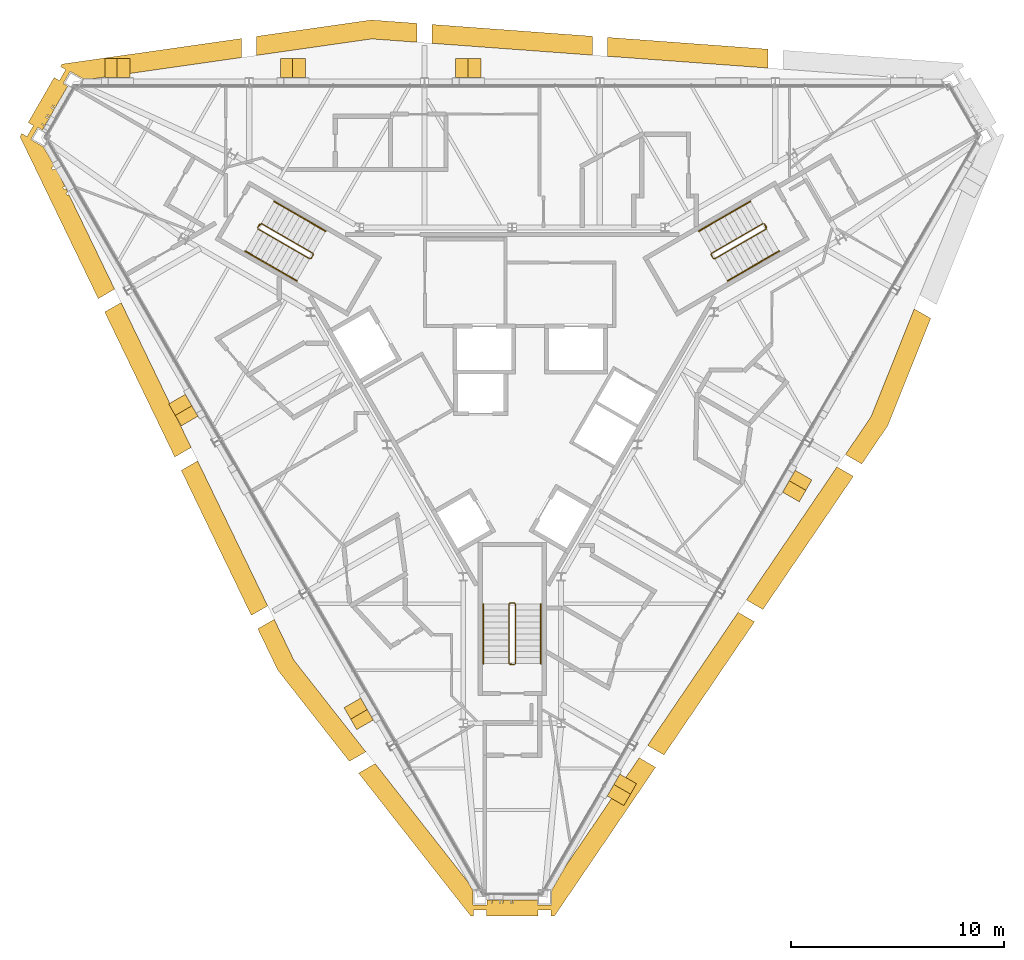
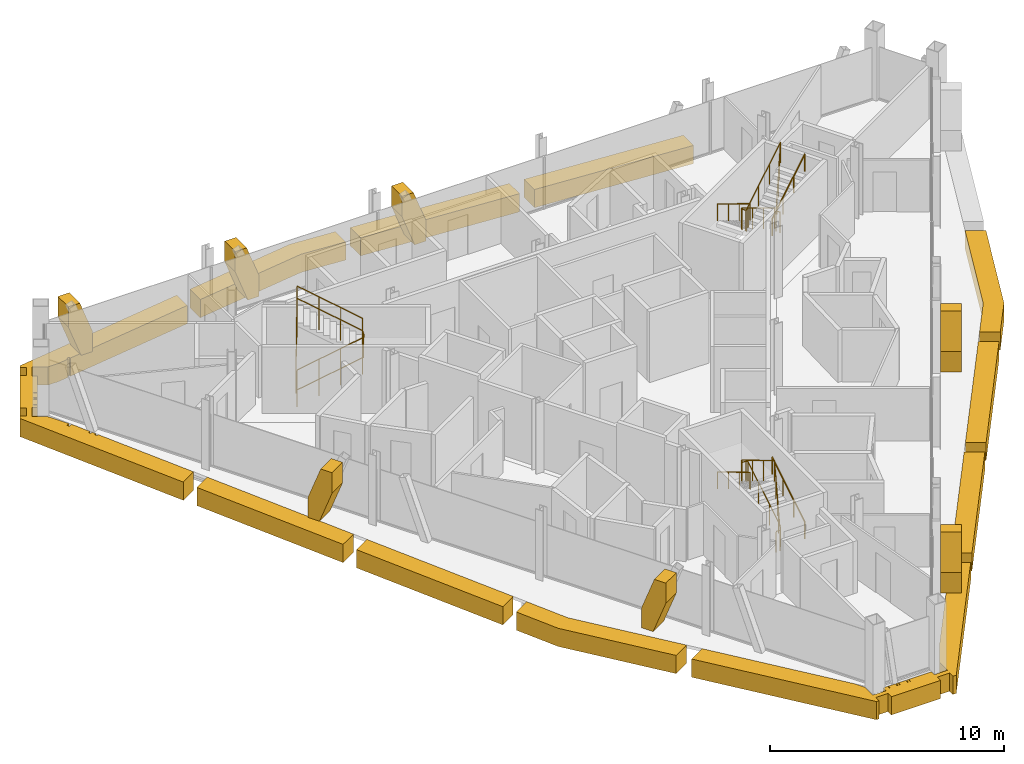
# One storey, part 14 of 15: 18 coverings, 9 railings.
"""IFC4 building model written with IfcOpenShell, lengths in metres."""

from ifc_helpers import new_model, si_unit, direction, frame, origin, origin_2d, place, context, subcontext, project, spatial, polyline, circle, outline, extrude, material, layer, layer_set, type_object, element, save


model = new_model("IFC4")

# Units and contexts
model_context = context("Model", 3, precision=1e-05, world=origin(), true_north=direction((0.0, 1.0)))
body_context = subcontext(model_context, "Body", "Model", "MODEL_VIEW")
ifc_project = project(units=[si_unit("LENGTHUNIT", "METRE"), si_unit("AREAUNIT", "SQUARE_METRE"), si_unit("VOLUMEUNIT", "CUBIC_METRE"), si_unit("PLANEANGLEUNIT", "RADIAN"), si_unit("MASSUNIT", "GRAM", prefix="KILO")], contexts=[model_context])

# Site, building, storey
site_placement = place(None, origin())
site = spatial("IfcSite", under=ifc_project, at=site_placement, CompositionType="ELEMENT")
building_placement = place(site_placement, origin())
building = spatial("IfcBuilding", under=site, at=building_placement, Name="Verrane Prism Tower", CompositionType="ELEMENT")
storey_placement = place(building_placement, frame((0.0, 0.0, 301.0)))
storey = spatial("IfcBuildingStorey", under=building, at=storey_placement, Name="L76", CompositionType="ELEMENT", Elevation=301.0)

# Railings
ifc_material_1 = material(Name="Steel A36 rail and posts, no infill", Category="steel")
railing_type_1 = type_object("IfcRailingType", Name="Stair guard 1100 steel rail and posts", PredefinedType="GUARDRAIL", material=ifc_material_1)
railing_1_placement = place(storey_placement, frame((11.78955078125, 6.97998046875, 0.168212890625)))
element("IfcRailing", 1, at=railing_1_placement, inside=storey, type_object=railing_type_1, Name="Stair 1 guard", PredefinedType="GUARDRAIL", context=body_context, shape_type="SweptSolid", body=[
    extrude(circle(Radius=0.02392578125, at=origin_2d()), frame((0.0, 0.0, 1.076171875), z_axis=(-0.742366697286, -0.42866220388, 0.514917859203), x_axis=(0.500049511043, -0.865996816683, 0.0)), (0.0, 0.0, 1.0), 3.266357421875),
    extrude(circle(Radius=0.02392578125, at=origin_2d()), frame((-2.4248046875, -1.400146484375, 2.7578125), z_axis=(-0.259601060869, -0.965715946433, 0.0), x_axis=(0.965715946433, -0.259601060869, 0.0)), (0.0, 0.0, 1.0), 0.070556640625),
    extrude(circle(Radius=0.02392578125, at=origin_2d()), frame((-2.443115234375, -1.46826171875, 2.7578125), z_axis=(0.499158860599, -0.866510491504, 0.0), x_axis=(0.866510491504, 0.499158860599, 0.0)), (0.0, 0.0, 1.0), 0.199951171875),
    extrude(circle(Radius=0.02392578125, at=origin_2d()), frame((-2.34326171875, -1.6416015625, 2.7578125), z_axis=(0.375047803403, -0.100459233054, 0.92154603122), x_axis=(0.258736085224, 0.965948051503, 0.0)), (0.0, 0.0, 1.0), 0.182373046875),
    extrude(circle(Radius=0.02392578125, at=origin_2d()), frame((-2.27490234375, -1.659912109375, 2.92578125), z_axis=(0.742366697286, 0.42866220388, 0.514917859203), x_axis=(-0.500049511043, 0.865996816683, 0.0)), (0.0, 0.0, 1.0), 3.266357421875),
    extrude(circle(Radius=0.02392578125, at=origin_2d()), frame((0.14990234375, -0.259765625, 4.60791015625), z_axis=(-0.021986835041, 0.065104730107, -0.997636182785), x_axis=(-0.947430582667, -0.3199613899, 0.0)), (0.0, 0.0, 1.0), 3.708740234375),
    extrude(circle(Radius=0.02392578125, at=origin_2d()), frame((0.068359375, -0.018310546875, 0.90771484375), z_axis=(0.499158860599, -0.866510491504, 0.0), x_axis=(0.866510491504, 0.499158860599, 0.0)), (0.0, 0.0, 1.0), 0.199951171875),
    extrude(circle(Radius=0.02099609375, at=origin_2d()), origin(), (0.0, 0.0, 1.0), 1.052001953125),
    extrude(circle(Radius=0.02099609375, at=origin_2d()), frame((-0.808349609375, -0.466796875, 0.560546875)), (0.0, 0.0, 1.0), 1.052001953125),
    extrude(circle(Radius=0.02099609375, at=origin_2d()), frame((-1.616455078125, -0.933349609375, 1.121337890625)), (0.0, 0.0, 1.0), 1.052001953125),
    extrude(circle(Radius=0.02099609375, at=origin_2d()), frame((-2.4248046875, -1.400146484375, 1.681884765625)), (0.0, 0.0, 1.0), 1.052001953125),
    extrude(circle(Radius=0.02099609375, at=origin_2d()), frame((-2.443115234375, -1.46826171875, 1.681884765625)), (0.0, 0.0, 1.0), 1.052001953125),
    extrude(circle(Radius=0.02099609375, at=origin_2d()), frame((-2.34326171875, -1.6416015625, 1.681884765625)), (0.0, 0.0, 1.0), 1.052001953125),
    extrude(circle(Radius=0.02099609375, at=origin_2d()), frame((-2.27490234375, -1.659912109375, 1.849853515625)), (0.0, 0.0, 1.0), 1.052001953125),
    extrude(circle(Radius=0.02099609375, at=origin_2d()), frame((-1.466552734375, -1.193115234375, 2.410400390625)), (0.0, 0.0, 1.0), 1.052001953125),
    extrude(circle(Radius=0.02099609375, at=origin_2d()), frame((-0.658447265625, -0.7265625, 2.97119140625)), (0.0, 0.0, 1.0), 1.052001953125),
    extrude(circle(Radius=0.02099609375, at=origin_2d()), frame((0.14990234375, -0.259765625, 3.53173828125)), (0.0, 0.0, 1.0), 1.052001953125),
    extrude(circle(Radius=0.02099609375, at=origin_2d()), frame((0.12939453125, -0.199462890625, 2.606689453125)), (0.0, 0.0, 1.0), 1.052001953125),
    extrude(circle(Radius=0.02099609375, at=origin_2d()), frame((0.109130859375, -0.13916015625, 1.681640625)), (0.0, 0.0, 1.0), 1.052001953125),
    extrude(circle(Radius=0.02099609375, at=origin_2d()), frame((0.0888671875, -0.07861328125, 0.7568359375)), (0.0, 0.0, 1.0), 1.052001953125),
    extrude(circle(Radius=0.02099609375, at=origin_2d()), frame((0.068359375, -0.018310546875, -0.168212890625)), (0.0, 0.0, 1.0), 1.052001953125),
    extrude(circle(Radius=0.02099609375, at=origin_2d()), frame((0.168212890625, -0.191650390625, -0.168212890625)), (0.0, 0.0, 1.0), 1.052001953125),
])
railing_2_placement = place(storey_placement, frame((-11.939453125, 6.72021484375, 0.168212890625)))
element("IfcRailing", 2, at=railing_2_placement, inside=storey, type_object=railing_type_1, Name="Stair 2 guard", PredefinedType="GUARDRAIL", context=body_context, shape_type="SweptSolid", body=[
    extrude(circle(Radius=0.02392578125, at=origin_2d()), frame((0.0, 0.0, 1.076171875), z_axis=(0.742366697286, -0.42866220388, 0.514917859203), x_axis=(0.500049511043, 0.865996816683, 0.0)), (0.0, 0.0, 1.0), 3.266357421875),
    extrude(circle(Radius=0.02392578125, at=origin_2d()), frame((2.4248046875, -1.400146484375, 2.7578125), z_axis=(0.965948051503, 0.258736085224, 0.0), x_axis=(-0.258736085224, 0.965948051503, 0.0)), (0.0, 0.0, 1.0), 0.07080078125),
    extrude(circle(Radius=0.02392578125, at=origin_2d()), frame((2.4931640625, -1.3818359375, 2.7578125), z_axis=(0.499158860599, 0.866510491504, 0.0), x_axis=(-0.866510491504, 0.499158860599, 0.0)), (0.0, 0.0, 1.0), 0.199951171875),
    extrude(circle(Radius=0.02392578125, at=origin_2d()), frame((2.593017578125, -1.20849609375, 2.7578125), z_axis=(-0.10050964758, 0.373895888998, 0.922008500467), x_axis=(-0.965715946433, -0.259601060869, 0.0)), (0.0, 0.0, 1.0), 0.18212890625),
    extrude(circle(Radius=0.02392578125, at=origin_2d()), frame((2.57470703125, -1.140380859375, 2.92578125), z_axis=(-0.742366697286, 0.42866220388, 0.514917859203), x_axis=(-0.500049511043, -0.865996816683, 0.0)), (0.0, 0.0, 1.0), 3.266357421875),
    extrude(circle(Radius=0.02392578125, at=origin_2d()), frame((0.14990234375, 0.259765625, 4.60791015625), z_axis=(-0.04535595117, -0.051675503147, -0.99763343973), x_axis=(0.751567565678, -0.659656118156, 0.0)), (0.0, 0.0, 1.0), 3.708740234375),
    extrude(circle(Radius=0.02392578125, at=origin_2d()), frame((-0.018310546875, 0.068115234375, 0.90771484375), z_axis=(0.499158860599, 0.866510491504, 0.0), x_axis=(-0.866510491504, 0.499158860599, 0.0)), (0.0, 0.0, 1.0), 0.199951171875),
    extrude(circle(Radius=0.02099609375, at=origin_2d()), origin(), (0.0, 0.0, 1.0), 1.052001953125),
    extrude(circle(Radius=0.02099609375, at=origin_2d()), frame((0.808349609375, -0.466796875, 0.560546875)), (0.0, 0.0, 1.0), 1.052001953125),
    extrude(circle(Radius=0.02099609375, at=origin_2d()), frame((1.616455078125, -0.933349609375, 1.121337890625)), (0.0, 0.0, 1.0), 1.052001953125),
    extrude(circle(Radius=0.02099609375, at=origin_2d()), frame((2.4248046875, -1.400146484375, 1.681884765625)), (0.0, 0.0, 1.0), 1.052001953125),
    extrude(circle(Radius=0.02099609375, at=origin_2d()), frame((2.4931640625, -1.3818359375, 1.681884765625)), (0.0, 0.0, 1.0), 1.052001953125),
    extrude(circle(Radius=0.02099609375, at=origin_2d()), frame((2.593017578125, -1.20849609375, 1.681884765625)), (0.0, 0.0, 1.0), 1.052001953125),
    extrude(circle(Radius=0.02099609375, at=origin_2d()), frame((2.57470703125, -1.140380859375, 1.849853515625)), (0.0, 0.0, 1.0), 1.052001953125),
    extrude(circle(Radius=0.02099609375, at=origin_2d()), frame((1.766357421875, -0.673583984375, 2.410400390625)), (0.0, 0.0, 1.0), 1.052001953125),
    extrude(circle(Radius=0.02099609375, at=origin_2d()), frame((0.958251953125, -0.20703125, 2.97119140625)), (0.0, 0.0, 1.0), 1.052001953125),
    extrude(circle(Radius=0.02099609375, at=origin_2d()), frame((0.14990234375, 0.259765625, 3.53173828125)), (0.0, 0.0, 1.0), 1.052001953125),
    extrude(circle(Radius=0.02099609375, at=origin_2d()), frame((0.10791015625, 0.2119140625, 2.606689453125)), (0.0, 0.0, 1.0), 1.052001953125),
    extrude(circle(Radius=0.02099609375, at=origin_2d()), frame((0.06591796875, 0.1640625, 1.681640625)), (0.0, 0.0, 1.0), 1.052001953125),
    extrude(circle(Radius=0.02099609375, at=origin_2d()), frame((0.023681640625, 0.115966796875, 0.7568359375)), (0.0, 0.0, 1.0), 1.052001953125),
    extrude(circle(Radius=0.02099609375, at=origin_2d()), frame((-0.018310546875, 0.068115234375, -0.168212890625)), (0.0, 0.0, 1.0), 1.052001953125),
    extrude(circle(Radius=0.02099609375, at=origin_2d()), frame((0.08154296875, 0.241455078125, -0.168212890625)), (0.0, 0.0, 1.0), 1.052001953125),
])
railing_3_placement = place(storey_placement, frame((0.14990234375, -13.699951171875, 0.168212890625)))
element("IfcRailing", 3, at=railing_3_placement, inside=storey, type_object=railing_type_1, Name="Stair 3 guard", PredefinedType="GUARDRAIL", context=body_context, shape_type="SweptSolid", body=[
    extrude(circle(Radius=0.02392578125, at=origin_2d()), frame((0.0, 0.0, 1.076171875), z_axis=(0.0, 0.857242210791, 0.514913383045), x_axis=(-1.0, 0.0, 0.0)), (0.0, 0.0, 1.0), 3.266357421875),
    extrude(circle(Radius=0.02392578125, at=origin_2d()), frame((0.0, 2.800048828125, 2.7578125), z_axis=(-0.707106781187, 0.707106781187, 0.0), x_axis=(-0.707106781187, -0.707106781187, 0.0)), (0.0, 0.0, 1.0), 0.0703125),
    extrude(circle(Radius=0.02392578125, at=origin_2d()), frame((-0.0498046875, 2.849853515625, 2.7578125), z_axis=(-1.0, 0.0, 0.0), x_axis=(0.0, -1.0, 0.0)), (0.0, 0.0, 1.0), 0.2001953125),
    extrude(circle(Radius=0.02392578125, at=origin_2d()), frame((-0.25, 2.849853515625, 2.7578125), z_axis=(-0.273443704961, -0.273443704961, 0.922202299083), x_axis=(0.707106781187, -0.707106781187, 0.0)), (0.0, 0.0, 1.0), 0.18212890625),
    extrude(circle(Radius=0.02392578125, at=origin_2d()), frame((-0.2998046875, 2.800048828125, 2.92578125), z_axis=(0.0, -0.857242210791, 0.514913383045), x_axis=(1.0, 0.0, 0.0)), (0.0, 0.0, 1.0), 3.266357421875),
    extrude(circle(Radius=0.02392578125, at=origin_2d()), frame((-0.2998046875, 0.0, 4.60791015625), z_axis=(0.067408604812, -0.013494886706, -0.997634185476), x_axis=(0.196300278283, 0.98054382908, 0.0)), (0.0, 0.0, 1.0), 3.708740234375),
    extrude(circle(Radius=0.02392578125, at=origin_2d()), frame((-0.0498046875, -0.050048828125, 0.90771484375), z_axis=(-1.0, 0.0, 0.0), x_axis=(0.0, -1.0, 0.0)), (0.0, 0.0, 1.0), 0.2001953125),
    extrude(circle(Radius=0.02099609375, at=origin_2d()), origin(), (0.0, 0.0, 1.0), 1.052001953125),
    extrude(circle(Radius=0.02099609375, at=origin_2d()), frame((0.0, 0.933349609375, 0.560546875)), (0.0, 0.0, 1.0), 1.052001953125),
    extrude(circle(Radius=0.02099609375, at=origin_2d()), frame((0.0, 1.86669921875, 1.121337890625)), (0.0, 0.0, 1.0), 1.052001953125),
    extrude(circle(Radius=0.02099609375, at=origin_2d()), frame((0.0, 2.800048828125, 1.681884765625)), (0.0, 0.0, 1.0), 1.052001953125),
    extrude(circle(Radius=0.02099609375, at=origin_2d()), frame((-0.0498046875, 2.849853515625, 1.681884765625)), (0.0, 0.0, 1.0), 1.052001953125),
    extrude(circle(Radius=0.02099609375, at=origin_2d()), frame((-0.25, 2.849853515625, 1.681884765625)), (0.0, 0.0, 1.0), 1.052001953125),
    extrude(circle(Radius=0.02099609375, at=origin_2d()), frame((-0.2998046875, 2.800048828125, 1.849853515625)), (0.0, 0.0, 1.0), 1.052001953125),
    extrude(circle(Radius=0.02099609375, at=origin_2d()), frame((-0.2998046875, 1.86669921875, 2.410400390625)), (0.0, 0.0, 1.0), 1.052001953125),
    extrude(circle(Radius=0.02099609375, at=origin_2d()), frame((-0.2998046875, 0.933349609375, 2.97119140625)), (0.0, 0.0, 1.0), 1.052001953125),
    extrude(circle(Radius=0.02099609375, at=origin_2d()), frame((-0.2998046875, 0.0, 3.53173828125)), (0.0, 0.0, 1.0), 1.052001953125),
    extrude(circle(Radius=0.02099609375, at=origin_2d()), frame((-0.2373046875, -0.012451171875, 2.606689453125)), (0.0, 0.0, 1.0), 1.052001953125),
    extrude(circle(Radius=0.02099609375, at=origin_2d()), frame((-0.1748046875, -0.02490234375, 1.681640625)), (0.0, 0.0, 1.0), 1.052001953125),
    extrude(circle(Radius=0.02099609375, at=origin_2d()), frame((-0.1123046875, -0.03759765625, 0.7568359375)), (0.0, 0.0, 1.0), 1.052001953125),
    extrude(circle(Radius=0.02099609375, at=origin_2d()), frame((-0.0498046875, -0.050048828125, -0.168212890625)), (0.0, 0.0, 1.0), 1.052001953125),
    extrude(circle(Radius=0.02099609375, at=origin_2d()), frame((-0.25, -0.050048828125, -0.168212890625)), (0.0, 0.0, 1.0), 1.052001953125),
])
ifc_material_2 = material(Name="Steel A36 tube", Category="steel")
railing_type_2 = type_object("IfcRailingType", Name="Stair handrail 900 steel tube", PredefinedType="HANDRAIL", material=ifc_material_2)
railing_4_placement = place(storey_placement, frame((11.189453125, 8.01904296875, 0.168212890625)))
element("IfcRailing", 4, at=railing_4_placement, inside=storey, type_object=railing_type_2, Name="Stair 1 handrail", PredefinedType="HANDRAIL", context=body_context, shape_type="SweptSolid", body=[
    extrude(circle(Radius=0.02392578125, at=origin_2d()), frame((0.0, 0.0, 0.8759765625), z_axis=(-0.742390482028, -0.42860119049, 0.514934356695), x_axis=(0.49998411664, -0.866034573852, 0.0)), (0.0, 0.0, 1.0), 3.26611328125),
    extrude(circle(Radius=0.02099609375, at=origin_2d()), origin(), (0.0, 0.0, 1.0), 0.851806640625),
    extrude(circle(Radius=0.02099609375, at=origin_2d()), frame((-0.808349609375, -0.466552734375, 0.560546875)), (0.0, 0.0, 1.0), 0.851806640625),
    extrude(circle(Radius=0.02099609375, at=origin_2d()), frame((-1.616455078125, -0.933349609375, 1.121337890625)), (0.0, 0.0, 1.0), 0.851806640625),
    extrude(circle(Radius=0.02099609375, at=origin_2d()), frame((-2.4248046875, -1.39990234375, 1.681884765625)), (0.0, 0.0, 1.0), 0.851806640625),
])
railing_5_placement = place(storey_placement, frame((10.11474609375, 4.28076171875, 2.01806640625)))
element("IfcRailing", 5, at=railing_5_placement, inside=storey, type_object=railing_type_2, Name="Stair 1 handrail", PredefinedType="HANDRAIL", context=body_context, shape_type="SweptSolid", body=[
    extrude(circle(Radius=0.02392578125, at=origin_2d()), frame((0.0, 0.0, 0.8759765625), z_axis=(0.742366697286, 0.42866220388, 0.514917859203), x_axis=(-0.500049511043, 0.865996816683, 0.0)), (0.0, 0.0, 1.0), 3.266357421875),
    extrude(circle(Radius=0.02099609375, at=origin_2d()), origin(), (0.0, 0.0, 1.0), 0.851806640625),
    extrude(circle(Radius=0.02099609375, at=origin_2d()), frame((0.808349609375, 0.466796875, 0.560546875)), (0.0, 0.0, 1.0), 0.851806640625),
    extrude(circle(Radius=0.02099609375, at=origin_2d()), frame((1.616455078125, 0.933349609375, 1.121337890625)), (0.0, 0.0, 1.0), 0.851806640625),
    extrude(circle(Radius=0.02099609375, at=origin_2d()), frame((2.4248046875, 1.400146484375, 1.681884765625)), (0.0, 0.0, 1.0), 0.851806640625),
])
railing_6_placement = place(storey_placement, frame((-12.53955078125, 5.680908203125, 0.168212890625)))
element("IfcRailing", 6, at=railing_6_placement, inside=storey, type_object=railing_type_2, Name="Stair 2 handrail", PredefinedType="HANDRAIL", context=body_context, shape_type="SweptSolid", body=[
    extrude(circle(Radius=0.02392578125, at=origin_2d()), frame((0.0, 0.0, 0.8759765625), z_axis=(0.742366697286, -0.42866220388, 0.514917859203), x_axis=(0.500049511043, 0.865996816683, 0.0)), (0.0, 0.0, 1.0), 3.266357421875),
    extrude(circle(Radius=0.02099609375, at=origin_2d()), origin(), (0.0, 0.0, 1.0), 0.851806640625),
    extrude(circle(Radius=0.02099609375, at=origin_2d()), frame((0.808349609375, -0.466796875, 0.560546875)), (0.0, 0.0, 1.0), 0.851806640625),
    extrude(circle(Radius=0.02099609375, at=origin_2d()), frame((1.616455078125, -0.933349609375, 1.121337890625)), (0.0, 0.0, 1.0), 0.851806640625),
    extrude(circle(Radius=0.02099609375, at=origin_2d()), frame((2.4248046875, -1.400146484375, 1.681884765625)), (0.0, 0.0, 1.0), 0.851806640625),
])
railing_7_placement = place(storey_placement, frame((-8.7646484375, 6.619140625, 2.01806640625)))
element("IfcRailing", 7, at=railing_7_placement, inside=storey, type_object=railing_type_2, Name="Stair 2 handrail", PredefinedType="HANDRAIL", context=body_context, shape_type="SweptSolid", body=[
    extrude(circle(Radius=0.02392578125, at=origin_2d()), frame((0.0, 0.0, 0.8759765625), z_axis=(-0.742390482028, 0.42860119049, 0.514934356695), x_axis=(-0.49998411664, -0.866034573852, 0.0)), (0.0, 0.0, 1.0), 3.26611328125),
    extrude(circle(Radius=0.02099609375, at=origin_2d()), origin(), (0.0, 0.0, 1.0), 0.851806640625),
    extrude(circle(Radius=0.02099609375, at=origin_2d()), frame((-0.808349609375, 0.466552734375, 0.560546875)), (0.0, 0.0, 1.0), 0.851806640625),
    extrude(circle(Radius=0.02099609375, at=origin_2d()), frame((-1.616455078125, 0.933349609375, 1.121337890625)), (0.0, 0.0, 1.0), 0.851806640625),
    extrude(circle(Radius=0.02099609375, at=origin_2d()), frame((-2.4248046875, 1.39990234375, 1.681884765625)), (0.0, 0.0, 1.0), 0.851806640625),
])
railing_8_placement = place(storey_placement, frame((1.35009765625, -13.699951171875, 0.168212890625)))
element("IfcRailing", 8, at=railing_8_placement, inside=storey, type_object=railing_type_2, Name="Stair 3 handrail", PredefinedType="HANDRAIL", context=body_context, shape_type="SweptSolid", body=[
    extrude(circle(Radius=0.02392578125, at=origin_2d()), frame((0.0, 0.0, 0.8759765625), z_axis=(0.0, 0.857242210791, 0.514913383045), x_axis=(-1.0, 0.0, 0.0)), (0.0, 0.0, 1.0), 3.266357421875),
    extrude(circle(Radius=0.02099609375, at=origin_2d()), origin(), (0.0, 0.0, 1.0), 0.851806640625),
    extrude(circle(Radius=0.02099609375, at=origin_2d()), frame((0.0, 0.933349609375, 0.560546875)), (0.0, 0.0, 1.0), 0.851806640625),
    extrude(circle(Radius=0.02099609375, at=origin_2d()), frame((0.0, 1.86669921875, 1.121337890625)), (0.0, 0.0, 1.0), 0.851806640625),
    extrude(circle(Radius=0.02099609375, at=origin_2d()), frame((0.0, 2.800048828125, 1.681884765625)), (0.0, 0.0, 1.0), 0.851806640625),
])
railing_9_placement = place(storey_placement, frame((-1.35009765625, -10.89990234375, 2.01806640625)))
element("IfcRailing", 9, at=railing_9_placement, inside=storey, type_object=railing_type_2, Name="Stair 3 handrail", PredefinedType="HANDRAIL", context=body_context, shape_type="SweptSolid", body=[
    extrude(circle(Radius=0.02392578125, at=origin_2d()), frame((0.0, 0.0, 0.8759765625), z_axis=(0.0, -0.857242210791, 0.514913383045), x_axis=(1.0, 0.0, 0.0)), (0.0, 0.0, 1.0), 3.266357421875),
    extrude(circle(Radius=0.02099609375, at=origin_2d()), origin(), (0.0, 0.0, 1.0), 0.851806640625),
    extrude(circle(Radius=0.02099609375, at=origin_2d()), frame((0.0, -0.933349609375, 0.560546875)), (0.0, 0.0, 1.0), 0.851806640625),
    extrude(circle(Radius=0.02099609375, at=origin_2d()), frame((0.0, -1.86669921875, 1.121337890625)), (0.0, 0.0, 1.0), 0.851806640625),
    extrude(circle(Radius=0.02099609375, at=origin_2d()), frame((0.0, -2.800048828125, 1.681884765625)), (0.0, 0.0, 1.0), 0.851806640625),
])

# Coverings
ifc_material_3 = material(Name="Warm limestone cladding", Category="masonry")
ifc_layer_1 = layer(ifc_material_3, 0.89990234375)
ifc_layer_set_1 = layer_set([ifc_layer_1], Name="Stone brace fin 900")
covering_type_1 = type_object("IfcCoveringType", Name="Stone brace fin 900", PredefinedType="CLADDING", material=ifc_layer_set_1)
for number, where, z_axis, x_axis, name in (
    (10, (-1.466796875, 14.27783203125, 0.0), (0.0, 0.0, 1.0), (-1.0, 0.0, 0.0), "Stone brace fin N3 L76"),
    (11, (-9.706787109375, 14.27783203125, 0.0), (0.0, 0.0, 1.0), (-1.0, 0.0, 0.0), "Stone brace fin N4 L76"),
    (12, (-17.94677734375, 14.27783203125, 0.0), (0.0, 0.0, 1.0), (-1.0, 0.0, 0.0), "Stone brace fin N5 L76"),
):
    element("IfcCovering", number, at=place(storey_placement, frame(where, z_axis=z_axis, x_axis=x_axis)), inside=storey, type_object=covering_type_1, Name=name, PredefinedType="CLADDING", context=body_context, shape_type="SweptSolid", body=[
        extrude(outline(polyline([(1.186279296875, 2.75), (0.62109375, 2.75), (0.0, 1.076416015625), (0.0, 0.0), (0.560302734375, 0.0), (1.186279296875, 1.686279296875), (1.186279296875, 2.75)])), frame((0.0, 0.449951171875, 0.0), z_axis=(0.0, -1.0, 0.0), x_axis=(1.0, 0.0, 0.0)), (0.0, 0.0, 1.0), 0.89990234375),
    ])
for number, where, z_axis, x_axis, name in (
    (13, (-15.75048828125, -1.27490234375, 0.0), (0.0, 0.0, 1.0), (0.499900536046, -0.86608282171, 0.0), "Stone brace fin SW2 L76"),
    (14, (-7.510498046875, -15.544921875, 0.0), (0.0, 0.0, 1.0), (0.499900536046, -0.86608282171, 0.0), "Stone brace fin SW4 L76"),
    (15, (4.857177734375, -20.142822265625, 0.0), (0.0, 0.0, 1.0), (0.499811481546, 0.86613421761, 0.0), "Stone brace fin SE1 L76"),
):
    element("IfcCovering", number, at=place(storey_placement, frame(where, z_axis=z_axis, x_axis=x_axis)), inside=storey, type_object=covering_type_1, Name=name, PredefinedType="CLADDING", context=body_context, shape_type="SweptSolid", body=[
        extrude(outline(polyline([(1.18701171875, 2.75), (0.62158203125, 2.75), (0.0, 1.075927734375), (0.0, 0.0), (0.560546875, 0.0), (1.18701171875, 1.686767578125), (1.18701171875, 2.75)])), frame((0.0, 0.449951171875, 0.0), z_axis=(0.0, -1.0, 0.0), x_axis=(1.0, 0.0, 0.0)), (0.0, 0.0, 1.0), 0.89990234375),
    ])
covering_1_placement = place(storey_placement, frame((13.096923828125, -5.869873046875, 0.0), z_axis=(0.0, 0.0, 1.0), x_axis=(0.500346205489, 0.865825429664, 0.0)))
element("IfcCovering", 16, at=covering_1_placement, inside=storey, type_object=covering_type_1, Name="Stone brace fin SE3 L76", PredefinedType="CLADDING", context=body_context, shape_type="SweptSolid", body=[
    extrude(outline(polyline([(1.185791015625, 2.75), (0.62060546875, 2.75), (0.0, 1.0771484375), (0.0, 0.0), (0.560302734375, 0.0), (1.185791015625, 1.685791015625), (1.185791015625, 2.75)])), frame((0.0, 0.449951171875, 0.0), z_axis=(0.0, -1.0, 0.0), x_axis=(1.0, 0.0, 0.0)), (0.0, 0.0, 1.0), 0.89990234375),
])
ifc_material_4 = material(Name="Warm limestone cladding", Category="masonry")
ifc_layer_2 = layer(ifc_material_4, 0.449951171875)
ifc_layer_set_2 = layer_set([ifc_layer_2], Name="Stone spandrel band 450")
covering_type_2 = type_object("IfcCoveringType", Name="Stone spandrel band 450", PredefinedType="CLADDING", material=ifc_layer_set_2)
covering_2_placement = place(storey_placement, frame((0.0, 0.0, -0.949951171875)))
element("IfcCovering", 17, at=covering_2_placement, inside=storey, type_object=covering_type_2, Name="Stone spandrel band L76 part 1", PredefinedType="CLADDING", context=body_context, shape_type="SweptSolid", body=[
    extrude(outline(polyline([(1.9873046875, -25.5537109375), (6.73583984375, -18.568359375), (5.967529296875, -18.124755859375), (3.78955078125, -21.328857421875), (3.793212890625, -21.330810546875), (3.73193359375, -21.43701171875), (3.720458984375, -21.430419921875), (2.541259765625, -23.165283203125), (1.85009765625, -24.3623046875), (1.85009765625, -25.050048828125), (1.18994140625, -25.050048828125), (1.18994140625, -24.802490234375), (0.070068359375, -24.802490234375), (0.070068359375, -24.969970703125), (0.04052734375, -24.969970703125), (0.04052734375, -24.802490234375), (-0.04052734375, -24.802490234375), (-0.04052734375, -24.969970703125), (-0.08740234375, -24.969970703125), (-0.08740234375, -24.802490234375), (-0.4365234375, -24.802490234375), (-0.4365234375, -24.969970703125), (-0.466064453125, -24.969970703125), (-0.466064453125, -24.802490234375), (-0.547119140625, -24.802490234375), (-0.547119140625, -24.969970703125), (-0.593994140625, -24.969970703125), (-0.593994140625, -24.802490234375), (-0.943359375, -24.802490234375), (-0.943359375, -24.969970703125), (-0.972900390625, -24.969970703125), (-0.972900390625, -24.802490234375), (-1.18994140625, -24.802490234375), (-1.18994140625, -25.050048828125), (-1.85009765625, -25.050048828125), (-1.85009765625, -24.3623046875), (-2.1015625, -23.9267578125), (-6.4404296875, -18.397705078125), (-7.214599609375, -18.8447265625), (-1.949462890625, -25.5537109375), (-1.819091796875, -25.5537109375), (-1.819091796875, -25.26904296875), (-1.218994140625, -25.26904296875), (-1.218994140625, -25.5537109375), (1.218994140625, -25.5537109375), (1.218994140625, -25.26904296875), (1.819091796875, -25.26904296875), (1.819091796875, -25.5537109375), (1.9873046875, -25.5537109375)])), origin(), (0.0, 0.0, 1.0), 0.949951171875),
])
covering_3_placement = place(storey_placement, frame((0.0, 0.0, -0.949951171875)))
element("IfcCovering", 18, at=covering_3_placement, inside=storey, type_object=covering_type_2, Name="Stone spandrel band L76 part 3", PredefinedType="CLADDING", context=body_context, shape_type="SweptSolid", body=[
    extrude(outline(polyline([(-18.68017578125, 3.894287109375), (-20.365478515625, 7.381591796875), (-20.366455078125, 7.381103515625), (-20.42529296875, 7.48291015625), (-20.4169921875, 7.48779296875), (-20.830078125, 8.342529296875), (-20.898681640625, 8.302978515625), (-20.959716796875, 8.4091796875), (-20.88330078125, 8.453125), (-20.965087890625, 8.6220703125), (-21.05322265625, 8.571044921875), (-21.112060546875, 8.6728515625), (-21.016357421875, 8.72802734375), (-21.332275390625, 9.3818359375), (-21.443603515625, 9.57470703125), (-21.585205078125, 9.4931640625), (-21.646484375, 9.59912109375), (-21.5048828125, 9.680908203125), (-22.027099609375, 10.585205078125), (-22.614013671875, 10.92431640625), (-22.2841796875, 11.495849609375), (-22.07275390625, 11.373779296875), (-21.96435546875, 11.5615234375), (-22.106201171875, 11.6435546875), (-22.09130859375, 11.669189453125), (-21.949462890625, 11.587158203125), (-21.775146484375, 11.88916015625), (-21.916748046875, 11.97119140625), (-21.893310546875, 12.01171875), (-21.751708984375, 11.9296875), (-21.711181640625, 12.0), (-21.852783203125, 12.081787109375), (-21.838134765625, 12.107421875), (-21.6962890625, 12.025390625), (-21.52197265625, 12.32763671875), (-21.66357421875, 12.409423828125), (-21.639892578125, 12.449951171875), (-21.49853515625, 12.3681640625), (-21.4580078125, 12.4384765625), (-21.599365234375, 12.520263671875), (-21.584716796875, 12.5458984375), (-21.443115234375, 12.464111328125), (-20.8837890625, 13.432861328125), (-21.093994140625, 13.55419921875), (-20.76416015625, 14.125732421875), (-20.1708984375, 13.783447265625), (-19.67041015625, 13.783447265625), (-19.13330078125, 13.860107421875), (-19.13330078125, 13.949951171875), (-19.010986328125, 13.949951171875), (-19.010986328125, 13.87744140625), (-12.712646484375, 14.776611328125), (-12.712646484375, 15.67041015625), (-21.155517578125, 14.465087890625), (-21.220703125, 14.352294921875), (-20.97412109375, 14.209716796875), (-21.274169921875, 13.690185546875), (-21.520751953125, 13.83251953125), (-22.73974609375, 11.72119140625), (-22.4931640625, 11.578857421875), (-22.793212890625, 11.05908203125), (-23.039794921875, 11.20166015625), (-23.1240234375, 11.0556640625), (-19.448486328125, 3.45068359375), (-18.68017578125, 3.894287109375)])), origin(), (0.0, 0.0, 1.0), 0.949951171875),
])
covering_4_placement = place(storey_placement, frame((0.0, 0.0, -0.949951171875)))
element("IfcCovering", 19, at=covering_4_placement, inside=storey, type_object=covering_type_2, Name="Stone spandrel band L76 part 4", PredefinedType="CLADDING", context=body_context, shape_type="SweptSolid", body=[
    extrude(outline(polyline([(-15.8525390625, -3.989990234375), (-15.084228515625, -3.54638671875), (-18.374755859375, 3.262451171875), (-19.14306640625, 2.81884765625), (-15.8525390625, -3.989990234375)])), origin(), (0.0, 0.0, 1.0), 0.949951171875),
])
covering_5_placement = place(storey_placement, frame((0.0, 0.0, -0.949951171875)))
element("IfcCovering", 20, at=covering_5_placement, inside=storey, type_object=covering_type_2, Name="Stone spandrel band L76 part 5", PredefinedType="CLADDING", context=body_context, shape_type="SweptSolid", body=[
    extrude(outline(polyline([(-11.488037109375, -10.98681640625), (-14.77880859375, -4.17822265625), (-15.547119140625, -4.621826171875), (-12.256591796875, -11.430419921875), (-11.488037109375, -10.98681640625)])), origin(), (0.0, 0.0, 1.0), 0.949951171875),
])
covering_6_placement = place(storey_placement, frame((0.0, 0.0, -0.949951171875)))
element("IfcCovering", 21, at=covering_6_placement, inside=storey, type_object=covering_type_2, Name="Stone spandrel band L76 part 6", PredefinedType="CLADDING", context=body_context, shape_type="SweptSolid", body=[
    extrude(outline(polyline([(-6.876953125, -17.841552734375), (-10.256591796875, -13.53515625), (-11.1826171875, -11.618896484375), (-11.950927734375, -12.0625), (-11.01171875, -14.006103515625), (-7.651123046875, -18.288330078125), (-6.876953125, -17.841552734375)])), origin(), (0.0, 0.0, 1.0), 0.949951171875),
])
covering_7_placement = place(storey_placement, frame((0.0, 0.0, -0.949951171875)))
element("IfcCovering", 22, at=covering_7_placement, inside=storey, type_object=covering_type_2, Name="Stone spandrel band L76 part 7", PredefinedType="CLADDING", context=body_context, shape_type="SweptSolid", body=[
    extrude(outline(polyline([(10.61328125, -11.2900390625), (6.362060546875, -17.544189453125), (7.13037109375, -17.98779296875), (11.381591796875, -11.733642578125), (10.61328125, -11.2900390625)])), origin(), (0.0, 0.0, 1.0), 0.949951171875),
])
covering_8_placement = place(storey_placement, frame((0.0, 0.0, -0.949951171875)))
element("IfcCovering", 23, at=covering_8_placement, inside=storey, type_object=covering_type_2, Name="Stone spandrel band L76 part 8", PredefinedType="CLADDING", context=body_context, shape_type="SweptSolid", body=[
    extrude(outline(polyline([(16.02734375, -4.899169921875), (15.259033203125, -4.45556640625), (11.0078125, -10.709716796875), (11.776123046875, -11.1533203125), (16.02734375, -4.899169921875)])), origin(), (0.0, 0.0, 1.0), 0.949951171875),
])
covering_9_placement = place(storey_placement, frame((0.0, 0.0, -0.949951171875)))
element("IfcCovering", 24, at=covering_9_placement, inside=storey, type_object=covering_type_2, Name="Stone spandrel band L76 part 9", PredefinedType="CLADDING", context=body_context, shape_type="SweptSolid", body=[
    extrude(outline(polyline([(19.663818359375, 2.518310546875), (18.8896484375, 2.965087890625), (16.85009765625, -2.114990234375), (15.653564453125, -3.875), (16.421875, -4.318603515625), (17.635498046875, -2.533203125), (19.663818359375, 2.518310546875)])), origin(), (0.0, 0.0, 1.0), 0.949951171875),
])
covering_10_placement = place(storey_placement, frame((0.0, 0.0, -0.949951171875)))
element("IfcCovering", 25, at=covering_10_placement, inside=storey, type_object=covering_type_2, Name="Stone spandrel band L76 part 10", PredefinedType="CLADDING", context=body_context, shape_type="SweptSolid", body=[
    extrude(outline(polyline([(4.470947265625, 14.83642578125), (12.0126953125, 14.28173828125), (12.0126953125, 15.1689453125), (4.470947265625, 15.7236328125), (4.470947265625, 14.83642578125)])), origin(), (0.0, 0.0, 1.0), 0.949951171875),
])
covering_11_placement = place(storey_placement, frame((0.0, 0.0, -0.949951171875)))
element("IfcCovering", 26, at=covering_11_placement, inside=storey, type_object=covering_type_2, Name="Stone spandrel band L76 part 11", PredefinedType="CLADDING", context=body_context, shape_type="SweptSolid", body=[
    extrude(outline(polyline([(-3.77099609375, 15.4423828125), (3.77099609375, 14.887939453125), (3.77099609375, 15.77490234375), (-3.77099609375, 16.32958984375), (-3.77099609375, 15.4423828125)])), origin(), (0.0, 0.0, 1.0), 0.949951171875),
])
covering_12_placement = place(storey_placement, frame((0.0, 0.0, -0.949951171875)))
element("IfcCovering", 27, at=covering_12_placement, inside=storey, type_object=covering_type_2, Name="Stone spandrel band L76 part 12", PredefinedType="CLADDING", context=body_context, shape_type="SweptSolid", body=[
    extrude(outline(polyline([(-12.0126953125, 14.87646484375), (-6.593505859375, 15.64990234375), (-4.470947265625, 15.493896484375), (-4.470947265625, 16.381103515625), (-6.623779296875, 16.539306640625), (-12.0126953125, 15.770263671875), (-12.0126953125, 14.87646484375)])), origin(), (0.0, 0.0, 1.0), 0.949951171875),
])

save(model, "model.ifc")
